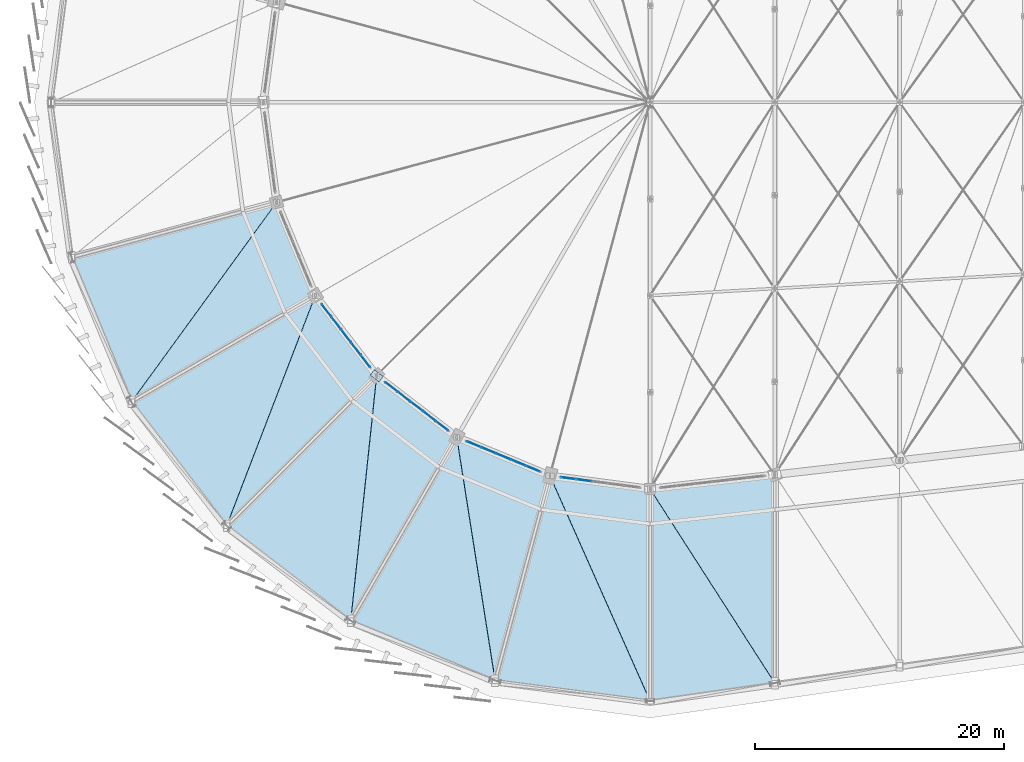
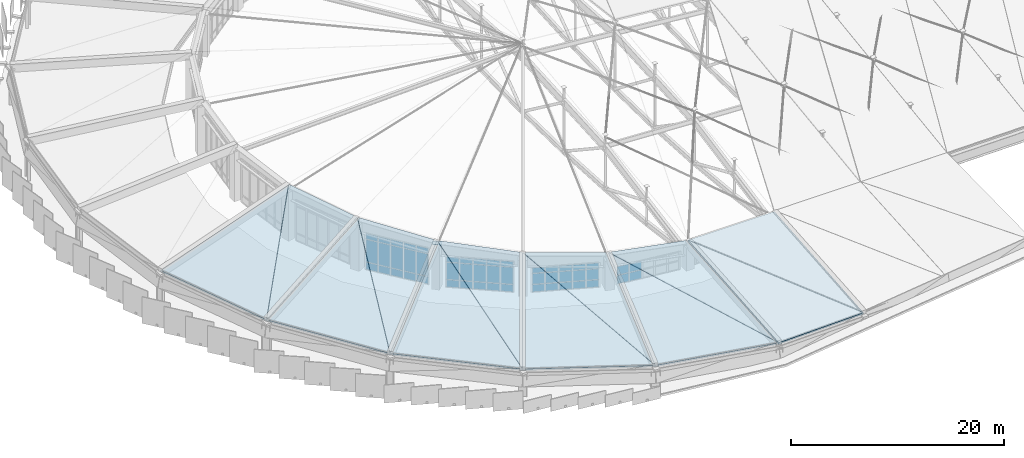
# One storey, part 53 of 68: 50 plates, 12 slabs, 4 elements without a shape of their own.
"""IFC4 building model written with IfcOpenShell, lengths in metres."""

from ifc_helpers import new_model, si_unit, direction, frame, origin, origin_2d, place, context, subcontext, project, spatial, polyline, rectangle, outline, extrude, material, layer, layer_set, type_object, element, aggregate, save


model = new_model("IFC4")

# Units and contexts
model_context = context("Model", 3, precision=1e-05, world=origin(), true_north=direction((0.0, 1.0)))
body_context = subcontext(model_context, "Body", "Model", "MODEL_VIEW")
ifc_project = project(units=[si_unit("LENGTHUNIT", "METRE"), si_unit("AREAUNIT", "SQUARE_METRE"), si_unit("VOLUMEUNIT", "CUBIC_METRE"), si_unit("PLANEANGLEUNIT", "RADIAN"), si_unit("MASSUNIT", "GRAM", prefix="KILO")], contexts=[model_context])

# Site, building, storey
site_placement = place(None, origin())
site = spatial("IfcSite", under=ifc_project, at=site_placement, CompositionType="ELEMENT")
building_placement = place(site_placement, origin())
building = spatial("IfcBuilding", under=site, at=building_placement, Name="Sohan Crest Arena", CompositionType="ELEMENT")
storey_placement = place(building_placement, frame((0.0, 0.0, 27.0)))
storey = spatial("IfcBuildingStorey", under=building, at=storey_placement, Name="RF", CompositionType="ELEMENT", Elevation=27.0)

# Curtain wall, plates
ifc_material_1 = material(Name="Thermally broken anodised aluminium", Category="aluminium")
ifc_layer_1 = layer(ifc_material_1, 0.18994140625, Name="Thermally broken anodised aluminium")
ifc_layer_set_1 = layer_set([ifc_layer_1], Name="Thermally broken anodised aluminium")
curtain_wall_type = type_object("IfcCurtainWallType", Name="ARC-CW05", PredefinedType="NOTDEFINED", material=ifc_layer_set_1)
curtain_wall_1_placement = place(storey_placement, origin())
curtain_wall_1 = element("IfcCurtainWall", 1, at=curtain_wall_1_placement, inside=storey, type_object=curtain_wall_type, Name="Unitised curtain wall CW-181", PredefinedType="NOTDEFINED")
ifc_material_2 = material(Name="Ceramic-fritted solar-control insulated glass", Category="glass")
ifc_layer_2 = layer(ifc_material_2, 0.035888671875, Name="Ceramic-fritted solar-control insulated glass")
ifc_layer_set_2 = layer_set([ifc_layer_2], Name="Ceramic-fritted solar-control insulated glass")
plate_type_1 = type_object("IfcPlateType", Name="ARC-CNP03", PredefinedType="CURTAIN_PANEL", material=ifc_layer_set_2)
plate_1_placement = place(storey_placement, frame((72.0556640625, 61.3232421875, 0.06494140625), z_axis=(0.0, 0.0, 1.0), x_axis=(0.608939000248, -0.793217053508, 0.0)))
plate_1 = element("IfcPlate", 2, at=plate_1_placement, type_object=plate_type_1, Name="CW-181 panel 1.1", PredefinedType="CURTAIN_PANEL", context=body_context, shape_type="SweptSolid", body=[
    extrude(rectangle(XDim=1.185546875, YDim=0.035888671875, at=origin_2d()), origin(), (0.0, 0.0, 1.0), 0.802490234375),
])
plate_2_placement = place(storey_placement, frame((72.0556640625, 61.3232421875, 0.9326171875), z_axis=(0.0, 0.0, 1.0), x_axis=(0.608939000248, -0.793217053508, 0.0)))
plate_2 = element("IfcPlate", 3, at=plate_2_placement, type_object=plate_type_1, Name="CW-181 panel 1.2", PredefinedType="CURTAIN_PANEL", context=body_context, shape_type="SweptSolid", body=[
    extrude(rectangle(XDim=1.185546875, YDim=0.035888671875, at=origin_2d()), origin(), (0.0, 0.0, 1.0), 2.5419921875),
])
plate_3_placement = place(storey_placement, frame((72.0556640625, 61.3232421875, 3.53955078125), z_axis=(0.0, 0.0, 1.0), x_axis=(0.608939000248, -0.793217053508, 0.0)))
plate_3 = element("IfcPlate", 4, at=plate_3_placement, type_object=plate_type_1, Name="CW-181 panel 1.3", PredefinedType="CURTAIN_PANEL", context=body_context, shape_type="SweptSolid", body=[
    extrude(rectangle(XDim=1.185546875, YDim=0.035888671875, at=origin_2d()), origin(), (0.0, 0.0, 1.0), 0.6025390625),
])
plate_4_placement = place(storey_placement, frame((72.830810546875, 60.313720703125, 0.06494140625), z_axis=(0.0, 0.0, 1.0), x_axis=(0.608939000248, -0.793217053508, 0.0)))
plate_4 = element("IfcPlate", 5, at=plate_4_placement, type_object=plate_type_1, Name="CW-181 panel 2.1", PredefinedType="CURTAIN_PANEL", context=body_context, shape_type="SweptSolid", body=[
    extrude(rectangle(XDim=1.220458984375, YDim=0.035888671875, at=origin_2d()), origin(), (0.0, 0.0, 1.0), 0.802490234375),
])
plate_5_placement = place(storey_placement, frame((72.830810546875, 60.313720703125, 0.9326171875), z_axis=(0.0, 0.0, 1.0), x_axis=(0.608939000248, -0.793217053508, 0.0)))
plate_5 = element("IfcPlate", 6, at=plate_5_placement, type_object=plate_type_1, Name="CW-181 panel 2.2", PredefinedType="CURTAIN_PANEL", context=body_context, shape_type="SweptSolid", body=[
    extrude(rectangle(XDim=1.220458984375, YDim=0.035888671875, at=origin_2d()), origin(), (0.0, 0.0, 1.0), 2.5419921875),
])
plate_6_placement = place(storey_placement, frame((72.830810546875, 60.313720703125, 3.53955078125), z_axis=(0.0, 0.0, 1.0), x_axis=(0.608939000248, -0.793217053508, 0.0)))
plate_6 = element("IfcPlate", 7, at=plate_6_placement, type_object=plate_type_1, Name="CW-181 panel 2.3", PredefinedType="CURTAIN_PANEL", context=body_context, shape_type="SweptSolid", body=[
    extrude(rectangle(XDim=1.220458984375, YDim=0.035888671875, at=origin_2d()), origin(), (0.0, 0.0, 1.0), 0.6025390625),
])
plate_7_placement = place(storey_placement, frame((73.616455078125, 59.2900390625, 0.06494140625), z_axis=(0.0, 0.0, 1.0), x_axis=(0.608939000248, -0.793217053508, 0.0)))
plate_7 = element("IfcPlate", 8, at=plate_7_placement, type_object=plate_type_1, Name="CW-181 panel 3.1", PredefinedType="CURTAIN_PANEL", context=body_context, shape_type="SweptSolid", body=[
    extrude(rectangle(XDim=1.220458984375, YDim=0.035888671875, at=origin_2d()), origin(), (0.0, 0.0, 1.0), 0.802490234375),
])
plate_8_placement = place(storey_placement, frame((73.616455078125, 59.2900390625, 0.9326171875), z_axis=(0.0, 0.0, 1.0), x_axis=(0.608939000248, -0.793217053508, 0.0)))
plate_8 = element("IfcPlate", 9, at=plate_8_placement, type_object=plate_type_1, Name="CW-181 panel 3.2", PredefinedType="CURTAIN_PANEL", context=body_context, shape_type="SweptSolid", body=[
    extrude(rectangle(XDim=1.220458984375, YDim=0.035888671875, at=origin_2d()), origin(), (0.0, 0.0, 1.0), 2.5419921875),
])
plate_9_placement = place(storey_placement, frame((73.616455078125, 59.2900390625, 3.53955078125), z_axis=(0.0, 0.0, 1.0), x_axis=(0.608939000248, -0.793217053508, 0.0)))
plate_9 = element("IfcPlate", 10, at=plate_9_placement, type_object=plate_type_1, Name="CW-181 panel 3.3", PredefinedType="CURTAIN_PANEL", context=body_context, shape_type="SweptSolid", body=[
    extrude(rectangle(XDim=1.220458984375, YDim=0.035888671875, at=origin_2d()), origin(), (0.0, 0.0, 1.0), 0.6025390625),
])
plate_10_placement = place(storey_placement, frame((74.40234375, 58.266357421875, 0.06494140625), z_axis=(0.0, 0.0, 1.0), x_axis=(0.608939000248, -0.793217053508, 0.0)))
plate_10 = element("IfcPlate", 11, at=plate_10_placement, type_object=plate_type_1, Name="CW-181 panel 4.1", PredefinedType="CURTAIN_PANEL", context=body_context, shape_type="SweptSolid", body=[
    extrude(rectangle(XDim=1.220458984375, YDim=0.035888671875, at=origin_2d()), origin(), (0.0, 0.0, 1.0), 0.802490234375),
])
plate_11_placement = place(storey_placement, frame((74.40234375, 58.266357421875, 0.9326171875), z_axis=(0.0, 0.0, 1.0), x_axis=(0.608939000248, -0.793217053508, 0.0)))
plate_11 = element("IfcPlate", 12, at=plate_11_placement, type_object=plate_type_1, Name="CW-181 panel 4.2", PredefinedType="CURTAIN_PANEL", context=body_context, shape_type="SweptSolid", body=[
    extrude(rectangle(XDim=1.220458984375, YDim=0.035888671875, at=origin_2d()), origin(), (0.0, 0.0, 1.0), 2.5419921875),
])
plate_12_placement = place(storey_placement, frame((74.40234375, 58.266357421875, 3.53955078125), z_axis=(0.0, 0.0, 1.0), x_axis=(0.608939000248, -0.793217053508, 0.0)))
plate_12 = element("IfcPlate", 13, at=plate_12_placement, type_object=plate_type_1, Name="CW-181 panel 4.3", PredefinedType="CURTAIN_PANEL", context=body_context, shape_type="SweptSolid", body=[
    extrude(rectangle(XDim=1.220458984375, YDim=0.035888671875, at=origin_2d()), origin(), (0.0, 0.0, 1.0), 0.6025390625),
])
plate_13_placement = place(storey_placement, frame((75.177490234375, 57.256591796875, 0.06494140625), z_axis=(0.0, 0.0, 1.0), x_axis=(0.608939000248, -0.793217053508, 0.0)))
plate_13 = element("IfcPlate", 14, at=plate_13_placement, type_object=plate_type_1, Name="CW-181 panel 5.1", PredefinedType="CURTAIN_PANEL", context=body_context, shape_type="SweptSolid", body=[
    extrude(rectangle(XDim=1.185546875, YDim=0.035888671875, at=origin_2d()), origin(), (0.0, 0.0, 1.0), 0.802490234375),
])
plate_14_placement = place(storey_placement, frame((75.177490234375, 57.256591796875, 0.9326171875), z_axis=(0.0, 0.0, 1.0), x_axis=(0.608939000248, -0.793217053508, 0.0)))
plate_14 = element("IfcPlate", 15, at=plate_14_placement, type_object=plate_type_1, Name="CW-181 panel 5.2", PredefinedType="CURTAIN_PANEL", context=body_context, shape_type="SweptSolid", body=[
    extrude(rectangle(XDim=1.185546875, YDim=0.035888671875, at=origin_2d()), origin(), (0.0, 0.0, 1.0), 2.5419921875),
])
plate_15_placement = place(storey_placement, frame((75.177490234375, 57.256591796875, 3.53955078125), z_axis=(0.0, 0.0, 1.0), x_axis=(0.608939000248, -0.793217053508, 0.0)))
plate_15 = element("IfcPlate", 16, at=plate_15_placement, type_object=plate_type_1, Name="CW-181 panel 5.3", PredefinedType="CURTAIN_PANEL", context=body_context, shape_type="SweptSolid", body=[
    extrude(rectangle(XDim=1.185546875, YDim=0.035888671875, at=origin_2d()), origin(), (0.0, 0.0, 1.0), 0.6025390625),
])
aggregate(curtain_wall_1, [plate_1, plate_2, plate_3, plate_4, plate_5, plate_6, plate_7, plate_8, plate_9, plate_10, plate_11, plate_12, plate_13, plate_14, plate_15])

curtain_wall_2_placement = place(storey_placement, origin())
curtain_wall_2 = element("IfcCurtainWall", 17, at=curtain_wall_2_placement, inside=storey, type_object=curtain_wall_type, Name="Unitised curtain wall CW-183", PredefinedType="NOTDEFINED")
plate_16_placement = place(storey_placement, frame((77.256591796875, 55.177490234375, 0.06494140625), z_axis=(0.0, 0.0, 1.0), x_axis=(0.793217053508, -0.608939000248, 0.0)))
plate_16 = element("IfcPlate", 18, at=plate_16_placement, type_object=plate_type_1, Name="CW-183 panel 1.1", PredefinedType="CURTAIN_PANEL", context=body_context, shape_type="SweptSolid", body=[
    extrude(rectangle(XDim=1.185546875, YDim=0.035888671875, at=origin_2d()), origin(), (0.0, 0.0, 1.0), 0.802490234375),
])
plate_17_placement = place(storey_placement, frame((77.256591796875, 55.177490234375, 0.9326171875), z_axis=(0.0, 0.0, 1.0), x_axis=(0.793217053508, -0.608939000248, 0.0)))
plate_17 = element("IfcPlate", 19, at=plate_17_placement, type_object=plate_type_1, Name="CW-183 panel 1.2", PredefinedType="CURTAIN_PANEL", context=body_context, shape_type="SweptSolid", body=[
    extrude(rectangle(XDim=1.185546875, YDim=0.035888671875, at=origin_2d()), origin(), (0.0, 0.0, 1.0), 1.91796875),
])
plate_18_placement = place(storey_placement, frame((77.256591796875, 55.177490234375, 2.91552734375), z_axis=(0.0, 0.0, 1.0), x_axis=(0.793217053508, -0.608939000248, 0.0)))
plate_18 = element("IfcPlate", 20, at=plate_18_placement, type_object=plate_type_1, Name="CW-183 panel 1.3", PredefinedType="CURTAIN_PANEL", context=body_context, shape_type="SweptSolid", body=[
    extrude(rectangle(XDim=1.185546875, YDim=0.035888671875, at=origin_2d()), origin(), (0.0, 0.0, 1.0), 0.6025390625),
])
plate_19_placement = place(storey_placement, frame((78.266357421875, 54.40234375, 0.06494140625), z_axis=(0.0, 0.0, 1.0), x_axis=(0.793217053508, -0.608939000248, 0.0)))
plate_19 = element("IfcPlate", 21, at=plate_19_placement, type_object=plate_type_1, Name="CW-183 panel 2.1", PredefinedType="CURTAIN_PANEL", context=body_context, shape_type="SweptSolid", body=[
    extrude(rectangle(XDim=1.220458984375, YDim=0.035888671875, at=origin_2d()), origin(), (0.0, 0.0, 1.0), 0.802490234375),
])
plate_20_placement = place(storey_placement, frame((78.266357421875, 54.40234375, 0.9326171875), z_axis=(0.0, 0.0, 1.0), x_axis=(0.793217053508, -0.608939000248, 0.0)))
plate_20 = element("IfcPlate", 22, at=plate_20_placement, type_object=plate_type_1, Name="CW-183 panel 2.2", PredefinedType="CURTAIN_PANEL", context=body_context, shape_type="SweptSolid", body=[
    extrude(rectangle(XDim=1.220458984375, YDim=0.035888671875, at=origin_2d()), origin(), (0.0, 0.0, 1.0), 1.91796875),
])
plate_21_placement = place(storey_placement, frame((78.266357421875, 54.40234375, 2.91552734375), z_axis=(0.0, 0.0, 1.0), x_axis=(0.793217053508, -0.608939000248, 0.0)))
plate_21 = element("IfcPlate", 23, at=plate_21_placement, type_object=plate_type_1, Name="CW-183 panel 2.3", PredefinedType="CURTAIN_PANEL", context=body_context, shape_type="SweptSolid", body=[
    extrude(rectangle(XDim=1.220458984375, YDim=0.035888671875, at=origin_2d()), origin(), (0.0, 0.0, 1.0), 0.6025390625),
])
plate_22_placement = place(storey_placement, frame((79.2900390625, 53.616455078125, 0.06494140625), z_axis=(0.0, 0.0, 1.0), x_axis=(0.793217053508, -0.608939000248, 0.0)))
plate_22 = element("IfcPlate", 24, at=plate_22_placement, type_object=plate_type_1, Name="CW-183 panel 3.1", PredefinedType="CURTAIN_PANEL", context=body_context, shape_type="SweptSolid", body=[
    extrude(rectangle(XDim=1.220458984375, YDim=0.035888671875, at=origin_2d()), origin(), (0.0, 0.0, 1.0), 0.802490234375),
])
plate_23_placement = place(storey_placement, frame((79.2900390625, 53.616455078125, 0.9326171875), z_axis=(0.0, 0.0, 1.0), x_axis=(0.793217053508, -0.608939000248, 0.0)))
plate_23 = element("IfcPlate", 25, at=plate_23_placement, type_object=plate_type_1, Name="CW-183 panel 3.2", PredefinedType="CURTAIN_PANEL", context=body_context, shape_type="SweptSolid", body=[
    extrude(rectangle(XDim=1.220458984375, YDim=0.035888671875, at=origin_2d()), origin(), (0.0, 0.0, 1.0), 1.91796875),
])
plate_24_placement = place(storey_placement, frame((79.2900390625, 53.616455078125, 2.91552734375), z_axis=(0.0, 0.0, 1.0), x_axis=(0.793217053508, -0.608939000248, 0.0)))
plate_24 = element("IfcPlate", 26, at=plate_24_placement, type_object=plate_type_1, Name="CW-183 panel 3.3", PredefinedType="CURTAIN_PANEL", context=body_context, shape_type="SweptSolid", body=[
    extrude(rectangle(XDim=1.220458984375, YDim=0.035888671875, at=origin_2d()), origin(), (0.0, 0.0, 1.0), 0.6025390625),
])
plate_25_placement = place(storey_placement, frame((80.313720703125, 52.830810546875, 0.06494140625), z_axis=(0.0, 0.0, 1.0), x_axis=(0.793217053508, -0.608939000248, 0.0)))
plate_25 = element("IfcPlate", 27, at=plate_25_placement, type_object=plate_type_1, Name="CW-183 panel 4.1", PredefinedType="CURTAIN_PANEL", context=body_context, shape_type="SweptSolid", body=[
    extrude(rectangle(XDim=1.220458984375, YDim=0.035888671875, at=origin_2d()), origin(), (0.0, 0.0, 1.0), 0.802490234375),
])
plate_26_placement = place(storey_placement, frame((80.313720703125, 52.830810546875, 0.9326171875), z_axis=(0.0, 0.0, 1.0), x_axis=(0.793217053508, -0.608939000248, 0.0)))
plate_26 = element("IfcPlate", 28, at=plate_26_placement, type_object=plate_type_1, Name="CW-183 panel 4.2", PredefinedType="CURTAIN_PANEL", context=body_context, shape_type="SweptSolid", body=[
    extrude(rectangle(XDim=1.220458984375, YDim=0.035888671875, at=origin_2d()), origin(), (0.0, 0.0, 1.0), 1.91796875),
])
plate_27_placement = place(storey_placement, frame((80.313720703125, 52.830810546875, 2.91552734375), z_axis=(0.0, 0.0, 1.0), x_axis=(0.793217053508, -0.608939000248, 0.0)))
plate_27 = element("IfcPlate", 29, at=plate_27_placement, type_object=plate_type_1, Name="CW-183 panel 4.3", PredefinedType="CURTAIN_PANEL", context=body_context, shape_type="SweptSolid", body=[
    extrude(rectangle(XDim=1.220458984375, YDim=0.035888671875, at=origin_2d()), origin(), (0.0, 0.0, 1.0), 0.6025390625),
])
plate_28_placement = place(storey_placement, frame((81.3232421875, 52.0556640625, 0.06494140625), z_axis=(0.0, 0.0, 1.0), x_axis=(0.793217053508, -0.608939000248, 0.0)))
plate_28 = element("IfcPlate", 30, at=plate_28_placement, type_object=plate_type_1, Name="CW-183 panel 5.1", PredefinedType="CURTAIN_PANEL", context=body_context, shape_type="SweptSolid", body=[
    extrude(rectangle(XDim=1.185546875, YDim=0.035888671875, at=origin_2d()), origin(), (0.0, 0.0, 1.0), 0.802490234375),
])
plate_29_placement = place(storey_placement, frame((81.3232421875, 52.0556640625, 0.9326171875), z_axis=(0.0, 0.0, 1.0), x_axis=(0.793217053508, -0.608939000248, 0.0)))
plate_29 = element("IfcPlate", 31, at=plate_29_placement, type_object=plate_type_1, Name="CW-183 panel 5.2", PredefinedType="CURTAIN_PANEL", context=body_context, shape_type="SweptSolid", body=[
    extrude(rectangle(XDim=1.185546875, YDim=0.035888671875, at=origin_2d()), origin(), (0.0, 0.0, 1.0), 1.91796875),
])
plate_30_placement = place(storey_placement, frame((81.3232421875, 52.0556640625, 2.91552734375), z_axis=(0.0, 0.0, 1.0), x_axis=(0.793217053508, -0.608939000248, 0.0)))
plate_30 = element("IfcPlate", 32, at=plate_30_placement, type_object=plate_type_1, Name="CW-183 panel 5.3", PredefinedType="CURTAIN_PANEL", context=body_context, shape_type="SweptSolid", body=[
    extrude(rectangle(XDim=1.185546875, YDim=0.035888671875, at=origin_2d()), origin(), (0.0, 0.0, 1.0), 0.6025390625),
])
aggregate(curtain_wall_2, [plate_16, plate_17, plate_18, plate_19, plate_20, plate_21, plate_22, plate_23, plate_24, plate_25, plate_26, plate_27, plate_28, plate_29, plate_30])

curtain_wall_3_placement = place(storey_placement, origin())
curtain_wall_3 = element("IfcCurtainWall", 33, at=curtain_wall_3_placement, inside=storey, type_object=curtain_wall_type, Name="Unitised curtain wall CW-185", PredefinedType="NOTDEFINED")
plate_31_placement = place(storey_placement, frame((83.870361328125, 50.58544921875, 0.06494140625), z_axis=(0.0, 0.0, 1.0), x_axis=(0.923886494023, -0.382666625357, 0.0)))
plate_31 = element("IfcPlate", 34, at=plate_31_placement, type_object=plate_type_1, Name="CW-185 panel 1.1", PredefinedType="CURTAIN_PANEL", context=body_context, shape_type="SweptSolid", body=[
    extrude(rectangle(XDim=1.185302734375, YDim=0.035888671875, at=origin_2d()), origin(), (0.0, 0.0, 1.0), 0.802490234375),
])
plate_32_placement = place(storey_placement, frame((83.870361328125, 50.58544921875, 0.9326171875), z_axis=(0.0, 0.0, 1.0), x_axis=(0.923886494023, -0.382666625357, 0.0)))
plate_32 = element("IfcPlate", 35, at=plate_32_placement, type_object=plate_type_1, Name="CW-185 panel 1.2", PredefinedType="CURTAIN_PANEL", context=body_context, shape_type="SweptSolid", body=[
    extrude(rectangle(XDim=1.185302734375, YDim=0.035888671875, at=origin_2d()), origin(), (0.0, 0.0, 1.0), 1.196044921875),
])
plate_33_placement = place(storey_placement, frame((83.870361328125, 50.58544921875, 2.193359375), z_axis=(0.0, 0.0, 1.0), x_axis=(0.923886494023, -0.382666625357, 0.0)))
plate_33 = element("IfcPlate", 36, at=plate_33_placement, type_object=plate_type_1, Name="CW-185 panel 1.3", PredefinedType="CURTAIN_PANEL", context=body_context, shape_type="SweptSolid", body=[
    extrude(rectangle(XDim=1.185302734375, YDim=0.035888671875, at=origin_2d()), origin(), (0.0, 0.0, 1.0), 0.6025390625),
])
plate_34_placement = place(storey_placement, frame((85.04638671875, 50.098388671875, 0.06494140625), z_axis=(0.0, 0.0, 1.0), x_axis=(0.923886494023, -0.382666625357, 0.0)))
plate_34 = element("IfcPlate", 37, at=plate_34_placement, type_object=plate_type_1, Name="CW-185 panel 2.1", PredefinedType="CURTAIN_PANEL", context=body_context, shape_type="SweptSolid", body=[
    extrude(rectangle(XDim=1.220458984375, YDim=0.035888671875, at=origin_2d()), origin(), (0.0, 0.0, 1.0), 0.802490234375),
])
plate_35_placement = place(storey_placement, frame((85.04638671875, 50.098388671875, 0.9326171875), z_axis=(0.0, 0.0, 1.0), x_axis=(0.923886494023, -0.382666625357, 0.0)))
plate_35 = element("IfcPlate", 38, at=plate_35_placement, type_object=plate_type_1, Name="CW-185 panel 2.2", PredefinedType="CURTAIN_PANEL", context=body_context, shape_type="SweptSolid", body=[
    extrude(rectangle(XDim=1.220458984375, YDim=0.035888671875, at=origin_2d()), origin(), (0.0, 0.0, 1.0), 1.196044921875),
])
plate_36_placement = place(storey_placement, frame((85.04638671875, 50.098388671875, 2.193359375), z_axis=(0.0, 0.0, 1.0), x_axis=(0.923886494023, -0.382666625357, 0.0)))
plate_36 = element("IfcPlate", 39, at=plate_36_placement, type_object=plate_type_1, Name="CW-185 panel 2.3", PredefinedType="CURTAIN_PANEL", context=body_context, shape_type="SweptSolid", body=[
    extrude(rectangle(XDim=1.220458984375, YDim=0.035888671875, at=origin_2d()), origin(), (0.0, 0.0, 1.0), 0.6025390625),
])
plate_37_placement = place(storey_placement, frame((86.238525390625, 49.6044921875, 0.06494140625), z_axis=(0.0, 0.0, 1.0), x_axis=(0.923886494023, -0.382666625357, 0.0)))
plate_37 = element("IfcPlate", 40, at=plate_37_placement, type_object=plate_type_1, Name="CW-185 panel 3.1", PredefinedType="CURTAIN_PANEL", context=body_context, shape_type="SweptSolid", body=[
    extrude(rectangle(XDim=1.220458984375, YDim=0.035888671875, at=origin_2d()), origin(), (0.0, 0.0, 1.0), 0.802490234375),
])
plate_38_placement = place(storey_placement, frame((86.238525390625, 49.6044921875, 0.9326171875), z_axis=(0.0, 0.0, 1.0), x_axis=(0.923886494023, -0.382666625357, 0.0)))
plate_38 = element("IfcPlate", 41, at=plate_38_placement, type_object=plate_type_1, Name="CW-185 panel 3.2", PredefinedType="CURTAIN_PANEL", context=body_context, shape_type="SweptSolid", body=[
    extrude(rectangle(XDim=1.220458984375, YDim=0.035888671875, at=origin_2d()), origin(), (0.0, 0.0, 1.0), 1.196044921875),
])
plate_39_placement = place(storey_placement, frame((86.238525390625, 49.6044921875, 2.193359375), z_axis=(0.0, 0.0, 1.0), x_axis=(0.923886494023, -0.382666625357, 0.0)))
plate_39 = element("IfcPlate", 42, at=plate_39_placement, type_object=plate_type_1, Name="CW-185 panel 3.3", PredefinedType="CURTAIN_PANEL", context=body_context, shape_type="SweptSolid", body=[
    extrude(rectangle(XDim=1.220458984375, YDim=0.035888671875, at=origin_2d()), origin(), (0.0, 0.0, 1.0), 0.6025390625),
])
plate_40_placement = place(storey_placement, frame((87.4306640625, 49.110595703125, 0.06494140625), z_axis=(0.0, 0.0, 1.0), x_axis=(0.923886494023, -0.382666625357, 0.0)))
plate_40 = element("IfcPlate", 43, at=plate_40_placement, type_object=plate_type_1, Name="CW-185 panel 4.1", PredefinedType="CURTAIN_PANEL", context=body_context, shape_type="SweptSolid", body=[
    extrude(rectangle(XDim=1.220458984375, YDim=0.035888671875, at=origin_2d()), origin(), (0.0, 0.0, 1.0), 0.802490234375),
])
plate_41_placement = place(storey_placement, frame((87.4306640625, 49.110595703125, 0.9326171875), z_axis=(0.0, 0.0, 1.0), x_axis=(0.923886494023, -0.382666625357, 0.0)))
plate_41 = element("IfcPlate", 44, at=plate_41_placement, type_object=plate_type_1, Name="CW-185 panel 4.2", PredefinedType="CURTAIN_PANEL", context=body_context, shape_type="SweptSolid", body=[
    extrude(rectangle(XDim=1.220458984375, YDim=0.035888671875, at=origin_2d()), origin(), (0.0, 0.0, 1.0), 1.196044921875),
])
plate_42_placement = place(storey_placement, frame((87.4306640625, 49.110595703125, 2.193359375), z_axis=(0.0, 0.0, 1.0), x_axis=(0.923886494023, -0.382666625357, 0.0)))
plate_42 = element("IfcPlate", 45, at=plate_42_placement, type_object=plate_type_1, Name="CW-185 panel 4.3", PredefinedType="CURTAIN_PANEL", context=body_context, shape_type="SweptSolid", body=[
    extrude(rectangle(XDim=1.220458984375, YDim=0.035888671875, at=origin_2d()), origin(), (0.0, 0.0, 1.0), 0.6025390625),
])
plate_43_placement = place(storey_placement, frame((88.606689453125, 48.62353515625, 0.06494140625), z_axis=(0.0, 0.0, 1.0), x_axis=(0.923886494023, -0.382666625357, 0.0)))
plate_43 = element("IfcPlate", 46, at=plate_43_placement, type_object=plate_type_1, Name="CW-185 panel 5.1", PredefinedType="CURTAIN_PANEL", context=body_context, shape_type="SweptSolid", body=[
    extrude(rectangle(XDim=1.185302734375, YDim=0.035888671875, at=origin_2d()), origin(), (0.0, 0.0, 1.0), 0.802490234375),
])
plate_44_placement = place(storey_placement, frame((88.606689453125, 48.62353515625, 0.9326171875), z_axis=(0.0, 0.0, 1.0), x_axis=(0.923886494023, -0.382666625357, 0.0)))
plate_44 = element("IfcPlate", 47, at=plate_44_placement, type_object=plate_type_1, Name="CW-185 panel 5.2", PredefinedType="CURTAIN_PANEL", context=body_context, shape_type="SweptSolid", body=[
    extrude(rectangle(XDim=1.185302734375, YDim=0.035888671875, at=origin_2d()), origin(), (0.0, 0.0, 1.0), 1.196044921875),
])
plate_45_placement = place(storey_placement, frame((88.606689453125, 48.62353515625, 2.193359375), z_axis=(0.0, 0.0, 1.0), x_axis=(0.923886494023, -0.382666625357, 0.0)))
plate_45 = element("IfcPlate", 48, at=plate_45_placement, type_object=plate_type_1, Name="CW-185 panel 5.3", PredefinedType="CURTAIN_PANEL", context=body_context, shape_type="SweptSolid", body=[
    extrude(rectangle(XDim=1.185302734375, YDim=0.035888671875, at=origin_2d()), origin(), (0.0, 0.0, 1.0), 0.6025390625),
])
aggregate(curtain_wall_3, [plate_31, plate_32, plate_33, plate_34, plate_35, plate_36, plate_37, plate_38, plate_39, plate_40, plate_41, plate_42, plate_43, plate_44, plate_45])

curtain_wall_4_placement = place(storey_placement, origin())
curtain_wall_4 = element("IfcCurtainWall", 49, at=curtain_wall_4_placement, inside=storey, type_object=curtain_wall_type, Name="Unitised curtain wall CW-187", PredefinedType="NOTDEFINED")
plate_46_placement = place(storey_placement, frame((91.447021484375, 47.862548828125, 0.06494140625), z_axis=(0.0, 0.0, 1.0), x_axis=(0.991448491802, -0.130498613419, 0.0)))
plate_46 = element("IfcPlate", 50, at=plate_46_placement, type_object=plate_type_1, Name="CW-187 panel 1.1", PredefinedType="CURTAIN_PANEL", context=body_context, shape_type="SweptSolid", body=[
    extrude(rectangle(XDim=1.185546875, YDim=0.035888671875, at=origin_2d()), origin(), (0.0, 0.0, 1.0), 0.951416015625),
])
plate_47_placement = place(storey_placement, frame((91.447021484375, 47.862548828125, 1.08154296875), z_axis=(0.0, 0.0, 1.0), x_axis=(0.991448491802, -0.130498613419, 0.0)))
plate_47 = element("IfcPlate", 51, at=plate_47_placement, type_object=plate_type_1, Name="CW-187 panel 1.2", PredefinedType="CURTAIN_PANEL", context=body_context, shape_type="SweptSolid", body=[
    extrude(rectangle(XDim=1.185546875, YDim=0.035888671875, at=origin_2d()), origin(), (0.0, 0.0, 1.0), 0.951416015625),
])
plate_48_placement = place(storey_placement, frame((92.708984375, 47.6962890625, 0.06494140625), z_axis=(0.0, 0.0, 1.0), x_axis=(0.991448491802, -0.130498613419, 0.0)))
plate_48 = element("IfcPlate", 52, at=plate_48_placement, type_object=plate_type_1, Name="CW-187 panel 2.1", PredefinedType="CURTAIN_PANEL", context=body_context, shape_type="SweptSolid", body=[
    extrude(rectangle(XDim=1.220458984375, YDim=0.035888671875, at=origin_2d()), origin(), (0.0, 0.0, 1.0), 0.951416015625),
])
plate_49_placement = place(storey_placement, frame((92.708984375, 47.6962890625, 1.08154296875), z_axis=(0.0, 0.0, 1.0), x_axis=(0.991448491802, -0.130498613419, 0.0)))
plate_49 = element("IfcPlate", 53, at=plate_49_placement, type_object=plate_type_1, Name="CW-187 panel 2.2", PredefinedType="CURTAIN_PANEL", context=body_context, shape_type="SweptSolid", body=[
    extrude(rectangle(XDim=1.220458984375, YDim=0.035888671875, at=origin_2d()), origin(), (0.0, 0.0, 1.0), 0.951416015625),
])
aggregate(curtain_wall_4, [plate_46, plate_47, plate_48, plate_49])

# Slabs
ifc_material_3 = material(Name="Concrete C40/50", Category="concrete")
ifc_layer_3 = layer(ifc_material_3, 0.195068359375, Name="Concrete C40/50")
ifc_layer_set_3 = layer_set([ifc_layer_3], Name="Concrete C40/50")
slab_type = type_object("IfcSlabType", Name="SL-RF02", PredefinedType="ROOF", material=ifc_layer_set_3)
slab_1_placement = place(storey_placement, frame((68.037109375, 69.962890625, 6.10498046875), z_axis=(-0.072753046007, -0.057278577531, 0.995703850978), x_axis=(-0.962418298802, -0.257875109561, -0.085155422612)))
element("IfcSlab", 54, at=slab_1_placement, inside=storey, type_object=slab_type, Name="Sloped roof deck panel RF-SL-063", PredefinedType="ROOF", context=body_context, shape_type="SweptSolid", body=[
    extrude(outline(polyline([(0.0, 0.0), (17.027114978644033, -1.7555401576885288e-15), (15.4271495795794, 12.40726577684972), (0.0, 0.0)])), origin(), (0.0, 0.0, -1.0), 0.195068359375),
])
slab_2_placement = place(storey_placement, frame((68.050048828125, 69.9609375, 6.10498046875), z_axis=(-0.059733967847, -0.06678128993, 0.995977967829), x_axis=(-0.585989681744, -0.805399766714, -0.089147678971)))
element("IfcSlab", 55, at=slab_2_placement, inside=storey, type_object=slab_type, Name="Sloped roof deck panel RF-SL-064", PredefinedType="ROOF", context=body_context, shape_type="SweptSolid", body=[
    extrude(outline(polyline([(0.0, 0.0), (19.79740357239058, -1.0061396160665481e-16), (4.226568265419724, 6.889858468548237), (0.0, 0.0)])), origin(), (0.0, 0.0, -1.0), 0.195068359375),
])
slab_3_placement = place(storey_placement, frame((71.137939453125, 62.48193359375, 5.7900390625), z_axis=(-0.048104733558, -0.086768342814, 0.995066424564), x_axis=(-0.862865871432, -0.498207610236, -0.085156708605)))
element("IfcSlab", 56, at=slab_3_placement, inside=storey, type_object=slab_type, Name="Sloped roof deck panel RF-SL-065", PredefinedType="ROOF", context=body_context, shape_type="SweptSolid", body=[
    extrude(outline(polyline([(0.0, 0.0), (17.02685784392425, -8.604228440844963e-16), (15.44294555071398, 12.414737404681253), (0.0, 0.0)])), origin(), (0.0, 0.0, -1.0), 0.195068359375),
])
slab_4_placement = place(storey_placement, frame((71.152099609375, 62.48291015625, 5.7900390625), z_axis=(-0.024366137875, -0.095901477114, 0.99509255751), x_axis=(-0.357316138259, -0.928800177043, -0.098261938021)))
element("IfcSlab", 57, at=slab_4_placement, inside=storey, type_object=slab_type, Name="Sloped roof deck panel RF-SL-066", PredefinedType="ROOF", context=body_context, shape_type="SweptSolid", body=[
    extrude(outline(polyline([(0.0, 0.0), (19.814604958769877, 1.2906342661267445e-15), (4.242728839702049, 6.890033876148988), (0.0, 0.0)])), origin(), (0.0, 0.0, -1.0), 0.195068359375),
])
slab_5_placement = place(storey_placement, frame((76.071044921875, 56.05908203125, 5.29296875), z_axis=(-0.01594705614, -0.104237870984, 0.994424535927), x_axis=(-0.704538690199, -0.704538690199, -0.08514968012)))
element("IfcSlab", 58, at=slab_5_placement, inside=storey, type_object=slab_type, Name="Sloped roof deck panel RF-SL-067", PredefinedType="ROOF", context=body_context, shape_type="SweptSolid", body=[
    extrude(outline(polyline([(0.0, 0.0), (17.02826328686984, 8.049116928532385e-16), (15.456517177428864, 12.42277070249165), (0.0, 0.0)])), origin(), (0.0, 0.0, -1.0), 0.195068359375),
])
slab_6_placement = place(storey_placement, frame((76.0830078125, 56.06396484375, 5.29296875), z_axis=(0.016508399542, -0.107635411293, 0.994053364252), x_axis=(-0.104687460203, -0.988910523159, -0.105339987004)))
element("IfcSlab", 59, at=slab_6_placement, inside=storey, type_object=slab_type, Name="Sloped roof deck panel RF-SL-068", PredefinedType="ROOF", context=body_context, shape_type="SweptSolid", body=[
    extrude(outline(polyline([(0.0, 0.0), (19.829765000994804, 2.914335439641036e-16), (4.260003736912967, 6.891764811476193), (0.0, 0.0)])), origin(), (0.0, 0.0, -1.0), 0.195068359375),
])
slab_7_placement = place(storey_placement, frame((82.49609375, 51.1298828125, 4.654052734375), z_axis=(0.01788726403, -0.108421065931, 0.993944122297), x_axis=(-0.498218389695, -0.862859707458, -0.085156100279)))
element("IfcSlab", 60, at=slab_7_placement, inside=storey, type_object=slab_type, Name="Sloped roof deck panel RF-SL-069", PredefinedType="ROOF", context=body_context, shape_type="SweptSolid", body=[
    extrude(outline(polyline([(0.0, 0.0), (17.026979477957447, 9.575673587391975e-16), (15.462299373668559, 12.42912933326027), (0.0, 0.0)])), origin(), (0.0, 0.0, -1.0), 0.195068359375),
])
slab_8_placement = place(storey_placement, frame((82.507080078125, 51.137939453125, 4.654052734375), z_axis=(0.054692698961, -0.102536624568, 0.993224521094), x_axis=(0.154788122257, -0.981817933685, -0.109882584165)))
element("IfcSlab", 61, at=slab_8_placement, inside=storey, type_object=slab_type, Name="Sloped roof deck panel RF-SL-070", PredefinedType="ROOF", context=body_context, shape_type="SweptSolid", body=[
    extrude(outline(polyline([(0.0, 0.0), (19.83873656762941, -1.249000902703301e-16), (4.26985061908238, 6.894532533520758), (0.0, 0.0)])), origin(), (0.0, 0.0, -1.0), 0.195068359375),
])
slab_9_placement = place(storey_placement, frame((89.97900390625, 48.032958984375, 3.924072265625), z_axis=(0.048200570381, -0.100843576979, 0.993734007669), x_axis=(-0.257892053086, -0.962413682596, -0.085156282846)))
element("IfcSlab", 62, at=slab_9_placement, inside=storey, type_object=slab_type, Name="Sloped roof deck panel RF-SL-071", PredefinedType="ROOF", context=body_context, shape_type="SweptSolid", body=[
    extrude(outline(polyline([(0.0, 0.0), (17.026942973661264, 5.412337245047638e-16), (15.466546008752962, 12.431237295950435), (0.0, 0.0)])), origin(), (0.0, 0.0, -1.0), 0.195068359375),
])
slab_10_placement = place(storey_placement, frame((89.988037109375, 48.04296875, 3.924072265625), z_axis=(0.083947817733, -0.08485087767, 0.992850992071), x_axis=(0.403519057514, -0.908123963627, -0.111728406906)))
element("IfcSlab", 63, at=slab_10_placement, inside=storey, type_object=slab_type, Name="Sloped roof deck panel RF-SL-072", PredefinedType="ROOF", context=body_context, shape_type="SweptSolid", body=[
    extrude(outline(polyline([(0.0, 0.0), (19.843127428636375, -6.938893903907228e-17), (4.273836995788012, 6.895425791496114), (0.0, 0.0)])), origin(), (0.0, 0.0, -1.0), 0.195068359375),
])
slab_11_placement = place(storey_placement, frame((98.007080078125, 46.97802734375, 3.156982421875), z_axis=(0.10424242377, -0.08468753724, 0.990939724768), x_axis=(0.0, -0.996368019697, -0.08515144934)))
element("IfcSlab", 64, at=slab_11_placement, inside=storey, type_object=slab_type, Name="Sloped roof deck panel RF-SL-073", PredefinedType="ROOF", context=body_context, shape_type="SweptSolid", body=[
    extrude(outline(polyline([(0.0, 0.0), (17.02790948497241, 0.0), (15.686082106039274, 10.034650067737573), (0.0, 0.0)])), origin(), (0.0, 0.0, -1.0), 0.195068359375),
])
slab_12_placement = place(storey_placement, frame((98.012939453125, 46.989990234375, 3.156982421875), z_axis=(0.102001736097, -0.086148356083, 0.99104697496), x_axis=(0.535972008246, -0.834520925212, -0.127706036507)))
element("IfcSlab", 65, at=slab_12_placement, inside=storey, type_object=slab_type, Name="Sloped roof deck panel RF-SL-074", PredefinedType="ROOF", context=body_context, shape_type="SweptSolid", body=[
    extrude(outline(polyline([(0.0, 0.0), (18.620338963999327, -4.163336342344337e-16), (4.5152157210416695, 9.020871398883614), (0.0, 0.0)])), origin(), (0.0, 0.0, -1.0), 0.195068359375),
])

# Plate
ifc_material_4 = material(Name="Steel S355", Category="steel")
ifc_layer_4 = layer(ifc_material_4, 0.034912109375, Name="Steel S355")
ifc_layer_set_4 = layer_set([ifc_layer_4], Name="Steel S355")
plate_type_2 = type_object("IfcPlateType", Name="STR-PL-GP03", PredefinedType="USERDEFINED", material=ifc_layer_set_4)
plate_50_placement = place(storey_placement, frame((76.080078125, 56.080078125, 4.94970703125), z_axis=(0.0, 0.0, 1.0), x_axis=(-0.793353340291, 0.608761429009, 0.0)))
element("IfcPlate", 66, at=plate_50_placement, inside=storey, type_object=plate_type_2, Name="Ring beam node gusset plate GP-RB10", ObjectType="GUSSET PLATE", PredefinedType="USERDEFINED", context=body_context, shape_type="SweptSolid", body=[
    extrude(rectangle(XDim=0.89990234375, YDim=0.550048828125, at=origin_2d()), origin(), (0.0, 0.0, 1.0), 0.034912109375),
])

save(model, "model.ifc")
